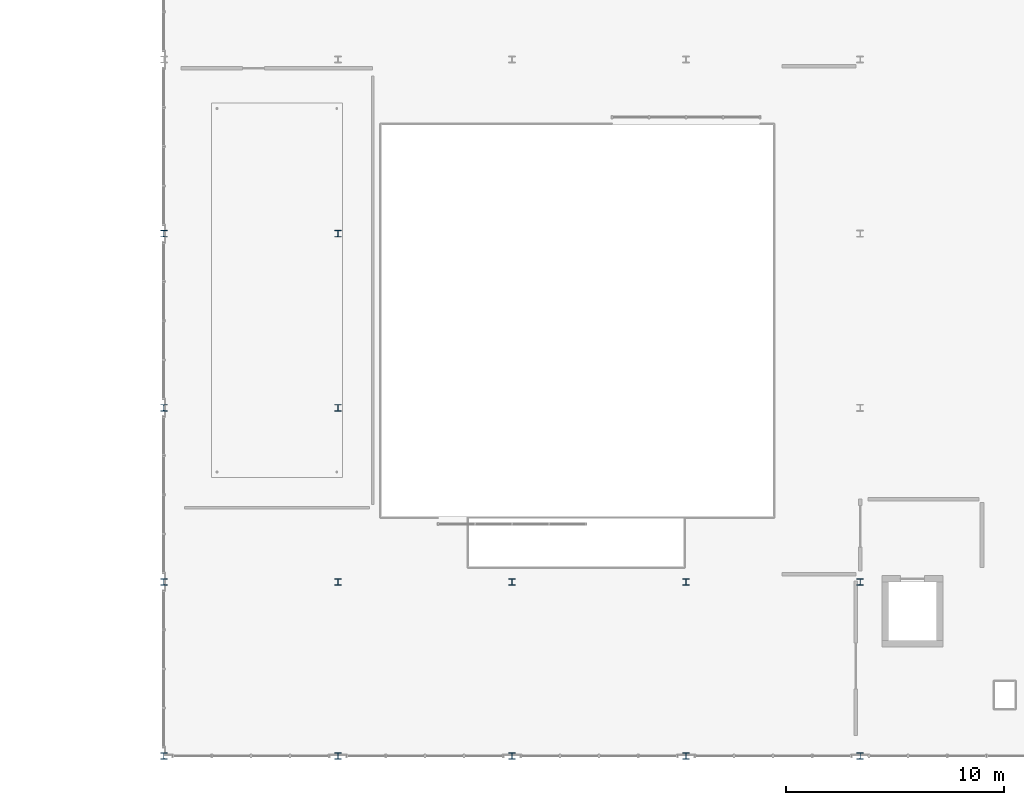
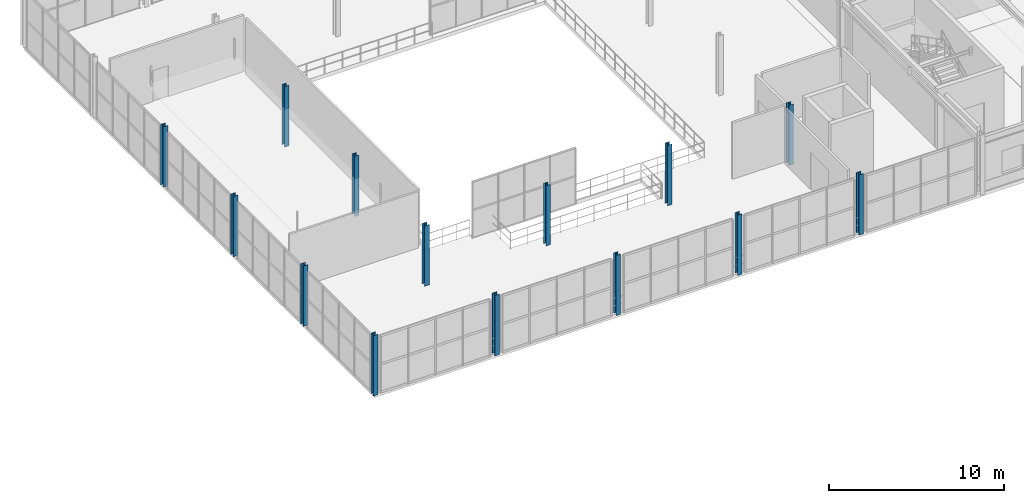
# One storey, part 2 of 67: 14 columns.
"""IFC4 building model written with IfcOpenShell, lengths in metres."""

from ifc_helpers import new_model, si_unit, direction, frame, origin, origin_2d, place, context, subcontext, project, spatial, i_section, extrude, material, material_profile, profile_set, type_object, element, save


model = new_model("IFC4")

# Units and contexts
model_context = context("Model", 3, precision=1e-05, world=origin(), true_north=direction((0.0, 1.0)))
body_context = subcontext(model_context, "Body", "Model", "MODEL_VIEW")
ifc_project = project(units=[si_unit("LENGTHUNIT", "METRE"), si_unit("AREAUNIT", "SQUARE_METRE"), si_unit("VOLUMEUNIT", "CUBIC_METRE"), si_unit("PLANEANGLEUNIT", "RADIAN"), si_unit("MASSUNIT", "GRAM", prefix="KILO")], contexts=[model_context])

# Site, building, storey
site_placement = place(None, origin())
site = spatial("IfcSite", under=ifc_project, at=site_placement, CompositionType="ELEMENT")
building_placement = place(site_placement, origin())
building = spatial("IfcBuilding", under=site, at=building_placement, Name="Sundkrona Museum", CompositionType="ELEMENT")
storey_placement = place(building_placement, frame((0.0, 0.0, 21.800048828125)))
storey = spatial("IfcBuildingStorey", under=building, at=storey_placement, Name="L04", CompositionType="ELEMENT", Elevation=21.800048828125)

# Columns
ifc_material = material(Name="Steel S355J2", Category="steel")
ifc_material_profile = material_profile(ifc_material, i_section(OverallWidth=0.300048828125, OverallDepth=0.300048828125, WebThickness=0.010986328125, FlangeThickness=0.01904296875, FilletRadius=0.027099609375, at=origin_2d()), Name="HEB 300")
ifc_profile_set = profile_set([ifc_material_profile], Name="Steel S355J2")
column_type = type_object("IfcColumnType", Name="C-HEB300", PredefinedType="COLUMN", material=ifc_profile_set)
for number, where, z_axis, x_axis, name in (
    (1, (80.0, 0.0, 0.0), (0.0, 0.0, 1.0), (1.0, 0.0, 0.0), "L04 Column A/11"),
    (2, (80.0, 8.0, 0.0), (0.0, 0.0, 1.0), (1.0, 0.0, 0.0), "L04 Column B/11"),
    (3, (80.0, 16.0, 0.0), (0.0, 0.0, 1.0), (1.0, 0.0, 0.0), "L04 Column C/11"),
    (4, (80.0, 24.0, 0.0), (0.0, 0.0, 1.0), (1.0, 0.0, 0.0), "L04 Column D/11"),
    (5, (88.0, 0.0, 0.0), (0.0, 0.0, 1.0), (1.0, 0.0, 0.0), "L04 Column A/12"),
    (6, (88.0, 8.0, 0.0), (0.0, 0.0, 1.0), (1.0, 0.0, 0.0), "L04 Column B/12"),
    (7, (88.0, 16.0, 0.0), (0.0, 0.0, 1.0), (1.0, 0.0, 0.0), "L04 Column C/12"),
    (8, (88.0, 24.0, 0.0), (0.0, 0.0, 1.0), (1.0, 0.0, 0.0), "L04 Column D/12"),
    (9, (96.0, 0.0, 0.0), (0.0, 0.0, 1.0), (1.0, 0.0, 0.0), "L04 Column A/13"),
    (10, (96.0, 8.0, 0.0), (0.0, 0.0, 1.0), (1.0, 0.0, 0.0), "L04 Column B/13"),
    (11, (104.0, 0.0, 0.0), (0.0, 0.0, 1.0), (1.0, 0.0, 0.0), "L04 Column A/14"),
    (12, (104.0, 8.0, 0.0), (0.0, 0.0, 1.0), (1.0, 0.0, 0.0), "L04 Column B/14"),
    (13, (112.0, 0.0, 0.0), (0.0, 0.0, 1.0), (1.0, 0.0, 0.0), "L04 Column A/15"),
    (14, (112.0, 8.0, 0.0), (0.0, 0.0, 1.0), (1.0, 0.0, 0.0), "L04 Column B/15"),
):
    element("IfcColumn", number, at=place(storey_placement, frame(where, z_axis=z_axis, x_axis=x_axis)), inside=storey, type_object=column_type, Name=name, PredefinedType="COLUMN", context=body_context, shape_type="SweptSolid", body=[
        extrude(i_section(OverallWidth=0.300048828125, OverallDepth=0.300048828125, WebThickness=0.010986328125, FlangeThickness=0.01904296875, FilletRadius=0.027099609375, at=origin_2d()), origin(), (0.0, 0.0, 1.0), 4.199951171875),
    ])

save(model, "model.ifc")
